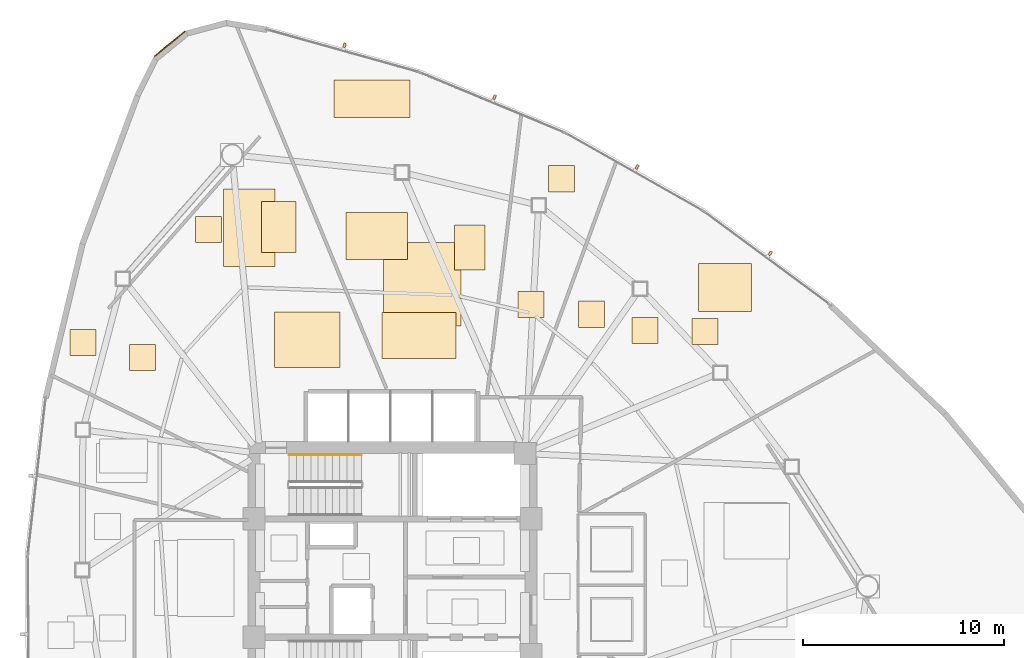
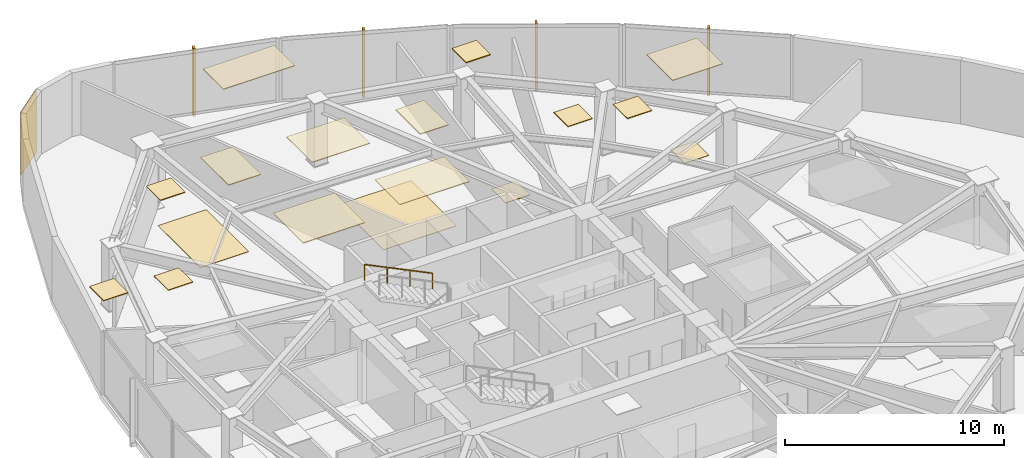
# One storey, part 18 of 18: 18 coverings, 4 shading devices, 1 railing.
"""IFC4 building model written with IfcOpenShell, lengths in metres."""

from ifc_helpers import new_model, si_unit, direction, frame, origin, origin_2d, place, context, subcontext, project, spatial, polyline, rectangle, outline, extrude, source, transform, mapped, material, layer, layer_set, type_object, type_shapes, element, save


model = new_model("IFC4")

# Units and contexts
model_context = context("Model", 3, precision=1e-05, world=origin(), true_north=direction((0.0, 1.0)))
body_context = subcontext(model_context, "Body", "Model", "MODEL_VIEW")
ifc_project = project(units=[si_unit("LENGTHUNIT", "METRE"), si_unit("AREAUNIT", "SQUARE_METRE"), si_unit("VOLUMEUNIT", "CUBIC_METRE"), si_unit("PLANEANGLEUNIT", "RADIAN"), si_unit("MASSUNIT", "GRAM", prefix="KILO")], contexts=[model_context])

# Site, building, storey
site_placement = place(None, origin())
site = spatial("IfcSite", under=ifc_project, at=site_placement, CompositionType="ELEMENT")
building_placement = place(site_placement, origin())
building = spatial("IfcBuilding", under=site, at=building_placement, Name="Tavelor Broadcast Tower", CompositionType="ELEMENT")
storey_placement = place(building_placement, frame((0.0, 0.0, 146.39990234375)))
storey = spatial("IfcBuildingStorey", under=building, at=storey_placement, Name="L34", CompositionType="ELEMENT", Elevation=146.39990234375)

# Covering
ifc_material_1 = material(Name="Copper-Bronze Anodized Aluminium", Category="aluminium")
ifc_layer_1 = layer(ifc_material_1, 0.050048828125)
ifc_layer_set_1 = layer_set([ifc_layer_1], Name="Copper-Bronze Anodized Aluminium")
covering_type_1 = type_object("IfcCoveringType", Name="Champagne-Bronze Corner Pier Metal Cladding 50 mm", PredefinedType="CLADDING", material=ifc_layer_set_1)
covering_1_placement = place(storey_placement, frame((38.904296875, 71.606689453125, 0.02001953125), z_axis=(0.0, 0.0, 1.0), x_axis=(-0.775495743172, -0.631352795449, 0.0)))
element("IfcCovering", 1, at=covering_1_placement, inside=storey, type_object=covering_type_1, Name="L34 Champagne-Bronze Corner Cladding 03", PredefinedType="CLADDING", context=body_context, shape_type="SweptSolid", body=[
    extrude(rectangle(XDim=1.97607421875, YDim=0.050048828125, at=origin_2d()), origin(), (0.0, 0.0, 1.0), 3.510009765625),
])

# Railing
ifc_material_2 = material(Name="Steel S355", Category="steel")
railing_type = type_object("IfcRailingType", Name="Continuous Brushed Stainless Handrail 900 mm", PredefinedType="HANDRAIL", material=ifc_material_2)
railing_placement = place(storey_placement, frame((48.449951171875, 51.14990234375, 2.10009765625)))
element("IfcRailing", 2, at=railing_placement, inside=storey, type_object=railing_type, Name="L34 ST1 stair handrail 2", PredefinedType="HANDRAIL", context=body_context, shape_type="SweptSolid", body=[
    extrude(rectangle(XDim=0.048095703125, YDim=0.048095703125, at=origin_2d()), frame((0.0, 0.0, 0.8759765625), z_axis=(-0.899360859046, 0.0, 0.437207096483), x_axis=(0.0, -1.0, 0.0)), (0.0, 0.0, 1.0), 4.002685546875),
    extrude(rectangle(XDim=0.0419921875, YDim=0.0419921875, at=origin_2d()), origin(), (0.0, 0.0, 1.0), 0.851806640625),
    extrude(rectangle(XDim=0.0419921875, YDim=0.0419921875, at=origin_2d()), frame((-1.199951171875, 0.0, 0.583251953125)), (0.0, 0.0, 1.0), 0.851806640625),
    extrude(rectangle(XDim=0.0419921875, YDim=0.0419921875, at=origin_2d()), frame((-2.39990234375, 0.0, 1.166748046875)), (0.0, 0.0, 1.0), 0.851806640625),
    extrude(rectangle(XDim=0.0419921875, YDim=0.0419921875, at=origin_2d()), frame((-3.599853515625, 0.0, 1.75)), (0.0, 0.0, 1.0), 0.851806640625),
])

# Coverings
ifc_material_3 = material(Name="Acoustic Nylon Carpet Tile")
ifc_layer_2 = layer(ifc_material_3, 0.02001953125)
ifc_layer_set_2 = layer_set([ifc_layer_2], Name="Acoustic Nylon Carpet Tile")
covering_type_2 = type_object("IfcCoveringType", Name="Heavy-Duty Acoustic Broadcast Carpet Tile 20 mm", PredefinedType="FLOORING", material=ifc_layer_set_2)
covering_2_placement = place(storey_placement, origin())
element("IfcCovering", 3, at=covering_2_placement, inside=storey, type_object=covering_type_2, Name="L34 Broadcast Floor Finish 0493", PredefinedType="FLOORING", context=body_context, shape_type="SweptSolid", body=[
    extrude(outline(polyline([(41.58642578125, 60.51171875), (44.143310546875, 60.51171875), (44.143310546875, 64.379150390625), (41.58642578125, 64.379150390625), (41.58642578125, 60.51171875)])), origin(), (0.0, 0.0, 1.0), 0.02001953125),
])
covering_3_placement = place(storey_placement, origin())
element("IfcCovering", 4, at=covering_3_placement, inside=storey, type_object=covering_type_2, Name="L34 Broadcast Floor Finish 0494", PredefinedType="FLOORING", context=body_context, shape_type="SweptSolid", body=[
    extrude(outline(polyline([(49.55029296875, 57.54248046875), (53.4072265625, 57.54248046875), (53.4072265625, 61.69970703125), (49.55029296875, 61.69970703125), (49.55029296875, 57.54248046875)])), origin(), (0.0, 0.0, 1.0), 0.02001953125),
])
covering_4_placement = place(storey_placement, origin())
element("IfcCovering", 5, at=covering_4_placement, inside=storey, type_object=covering_type_2, Name="L34 Broadcast Floor Finish 0496", PredefinedType="FLOORING", context=body_context, shape_type="SweptSolid", body=[
    extrude(outline(polyline([(64.920166015625, 56.6318359375), (66.22021484375, 56.6318359375), (66.22021484375, 57.931884765625), (64.920166015625, 57.931884765625), (64.920166015625, 56.6318359375)])), origin(), (0.0, 0.0, 1.0), 0.02001953125),
])
ifc_material_4 = material(Name="Acoustic Hardwood Studio Flooring", Category="wood")
ifc_layer_3 = layer(ifc_material_4, 0.034912109375)
ifc_layer_set_3 = layer_set([ifc_layer_3], Name="Acoustic Hardwood Studio Flooring")
covering_type_3 = type_object("IfcCoveringType", Name="Isolated Studio Acoustic Elastomeric Floor Finish 35 mm", PredefinedType="FLOORING", material=ifc_layer_set_3)
covering_5_placement = place(storey_placement, origin())
element("IfcCovering", 6, at=covering_5_placement, inside=storey, type_object=covering_type_3, Name="L34 Broadcast Floor Finish 0495", PredefinedType="FLOORING", context=body_context, shape_type="SweptSolid", body=[
    extrude(outline(polyline([(56.250244140625, 57.981689453125), (57.55029296875, 57.981689453125), (57.55029296875, 59.28173828125), (56.250244140625, 59.28173828125), (56.250244140625, 57.981689453125)])), origin(), (0.0, 0.0, 1.0), 0.03515625),
])
ifc_material_5 = material(Name="Acoustic Perforated Timber Baffle", Category="wood")
ifc_layer_4 = layer(ifc_material_5, 0.054931640625)
ifc_layer_set_4 = layer_set([ifc_layer_4], Name="Acoustic Perforated Timber Baffle")
covering_type_4 = type_object("IfcCoveringType", Name="Micro-Perforated Acoustic Baffle Studio Ceiling 55 mm", PredefinedType="CEILING", material=ifc_layer_set_4)
covering_6_placement = place(storey_placement, frame((0.0, 0.0, 3.4951171875)))
element("IfcCovering", 7, at=covering_6_placement, inside=storey, type_object=covering_type_4, Name="L34 Suspended Acoustic Ceiling 1418", PredefinedType="CEILING", context=body_context, shape_type="SweptSolid", body=[
    extrude(outline(polyline([(57.771484375, 64.239013671875), (59.071533203125, 64.239013671875), (59.071533203125, 65.5390625), (57.771484375, 65.5390625), (57.771484375, 64.239013671875)])), origin(), (0.0, 0.0, 1.0), 0.054931640625),
])
ifc_material_6 = material(Name="Acoustic Mineral Fibre Tile")
ifc_layer_5 = layer(ifc_material_6, 0.0400390625)
ifc_layer_set_5 = layer_set([ifc_layer_5], Name="Acoustic Mineral Fibre Tile")
covering_type_5 = type_object("IfcCoveringType", Name="Suspended Acoustic Mineral-Fibre Office Ceiling 40 mm", PredefinedType="CEILING", material=ifc_layer_set_5)
covering_7_placement = place(storey_placement, frame((0.0, 0.0, 3.510009765625)))
element("IfcCovering", 8, at=covering_7_placement, inside=storey, type_object=covering_type_5, Name="L34 Suspended Acoustic Ceiling 1409", PredefinedType="CEILING", context=body_context, shape_type="SweptSolid", body=[
    extrude(outline(polyline([(40.17724609375, 61.71240234375), (41.477294921875, 61.71240234375), (41.477294921875, 63.012451171875), (40.17724609375, 63.012451171875), (40.17724609375, 61.71240234375)])), origin(), (0.0, 0.0, 1.0), 0.0400390625),
])
covering_8_placement = place(storey_placement, frame((0.0, 0.0, 3.510009765625)))
element("IfcCovering", 9, at=covering_8_placement, inside=storey, type_object=covering_type_5, Name="L34 Suspended Acoustic Ceiling 1410", PredefinedType="CEILING", context=body_context, shape_type="SweptSolid", body=[
    extrude(outline(polyline([(43.477294921875, 61.205322265625), (45.19580078125, 61.205322265625), (45.19580078125, 63.75537109375), (43.477294921875, 63.75537109375), (43.477294921875, 61.205322265625)])), origin(), (0.0, 0.0, 1.0), 0.0400390625),
])
covering_9_placement = place(storey_placement, frame((0.0, 0.0, 3.510009765625)))
element("IfcCovering", 10, at=covering_9_placement, inside=storey, type_object=covering_type_5, Name="L34 Suspended Acoustic Ceiling 1411", PredefinedType="CEILING", context=body_context, shape_type="SweptSolid", body=[
    extrude(outline(polyline([(44.131103515625, 55.496826171875), (47.38525390625, 55.496826171875), (47.38525390625, 58.2451171875), (44.131103515625, 58.2451171875), (44.131103515625, 55.496826171875)])), origin(), (0.0, 0.0, 1.0), 0.0400390625),
])
covering_10_placement = place(storey_placement, frame((0.0, 0.0, 3.510009765625)))
element("IfcCovering", 11, at=covering_10_placement, inside=storey, type_object=covering_type_5, Name="L34 Suspended Acoustic Ceiling 1412", PredefinedType="CEILING", context=body_context, shape_type="SweptSolid", body=[
    extrude(outline(polyline([(36.904296875, 55.33349609375), (38.204345703125, 55.33349609375), (38.204345703125, 56.633544921875), (36.904296875, 56.633544921875), (36.904296875, 55.33349609375)])), origin(), (0.0, 0.0, 1.0), 0.0400390625),
])
covering_11_placement = place(storey_placement, frame((0.0, 0.0, 3.510009765625)))
element("IfcCovering", 12, at=covering_11_placement, inside=storey, type_object=covering_type_5, Name="L34 Suspended Acoustic Ceiling 1413", PredefinedType="CEILING", context=body_context, shape_type="SweptSolid", body=[
    extrude(outline(polyline([(33.9267578125, 56.078857421875), (35.226806640625, 56.078857421875), (35.226806640625, 57.37890625), (33.9267578125, 57.37890625), (33.9267578125, 56.078857421875)])), origin(), (0.0, 0.0, 1.0), 0.0400390625),
])
covering_12_placement = place(storey_placement, frame((0.0, 0.0, 3.510009765625)))
element("IfcCovering", 13, at=covering_12_placement, inside=storey, type_object=covering_type_5, Name="L34 Suspended Acoustic Ceiling 1414", PredefinedType="CEILING", context=body_context, shape_type="SweptSolid", body=[
    extrude(outline(polyline([(47.095703125, 67.936767578125), (50.8671875, 67.936767578125), (50.8671875, 69.8076171875), (47.095703125, 69.8076171875), (47.095703125, 67.936767578125)])), origin(), (0.0, 0.0, 1.0), 0.0400390625),
])
covering_13_placement = place(storey_placement, frame((0.0, 0.0, 3.510009765625)))
element("IfcCovering", 14, at=covering_13_placement, inside=storey, type_object=covering_type_5, Name="L34 Suspended Acoustic Ceiling 1415", PredefinedType="CEILING", context=body_context, shape_type="SweptSolid", body=[
    extrude(outline(polyline([(53.09912109375, 60.337158203125), (54.60400390625, 60.337158203125), (54.60400390625, 62.590087890625), (53.09912109375, 62.590087890625), (53.09912109375, 60.337158203125)])), origin(), (0.0, 0.0, 1.0), 0.0400390625),
])
covering_14_placement = place(storey_placement, frame((0.0, 0.0, 3.510009765625)))
element("IfcCovering", 15, at=covering_14_placement, inside=storey, type_object=covering_type_5, Name="L34 Suspended Acoustic Ceiling 1416", PredefinedType="CEILING", context=body_context, shape_type="SweptSolid", body=[
    extrude(outline(polyline([(49.489013671875, 55.943359375), (53.163330078125, 55.943359375), (53.163330078125, 58.2314453125), (49.489013671875, 58.2314453125), (49.489013671875, 55.943359375)])), origin(), (0.0, 0.0, 1.0), 0.0400390625),
])
covering_15_placement = place(storey_placement, frame((0.0, 0.0, 3.510009765625)))
element("IfcCovering", 16, at=covering_15_placement, inside=storey, type_object=covering_type_5, Name="L34 Suspended Acoustic Ceiling 1417", PredefinedType="CEILING", context=body_context, shape_type="SweptSolid", body=[
    extrude(outline(polyline([(47.693115234375, 60.862060546875), (50.74560546875, 60.862060546875), (50.74560546875, 63.2138671875), (47.693115234375, 63.2138671875), (47.693115234375, 60.862060546875)])), origin(), (0.0, 0.0, 1.0), 0.0400390625),
])
covering_16_placement = place(storey_placement, frame((0.0, 0.0, 3.510009765625)))
element("IfcCovering", 17, at=covering_16_placement, inside=storey, type_object=covering_type_5, Name="L34 Suspended Acoustic Ceiling 1419", PredefinedType="CEILING", context=body_context, shape_type="SweptSolid", body=[
    extrude(outline(polyline([(59.25732421875, 57.488037109375), (60.557373046875, 57.488037109375), (60.557373046875, 58.7880859375), (59.25732421875, 58.7880859375), (59.25732421875, 57.488037109375)])), origin(), (0.0, 0.0, 1.0), 0.0400390625),
])
covering_17_placement = place(storey_placement, frame((0.0, 0.0, 3.510009765625)))
element("IfcCovering", 18, at=covering_17_placement, inside=storey, type_object=covering_type_5, Name="L34 Suspended Acoustic Ceiling 1420", PredefinedType="CEILING", context=body_context, shape_type="SweptSolid", body=[
    extrude(outline(polyline([(65.234130859375, 58.277099609375), (67.89306640625, 58.277099609375), (67.89306640625, 60.658447265625), (65.234130859375, 60.658447265625), (65.234130859375, 58.277099609375)])), origin(), (0.0, 0.0, 1.0), 0.0400390625),
])
covering_18_placement = place(storey_placement, frame((0.0, 0.0, 3.510009765625)))
element("IfcCovering", 19, at=covering_18_placement, inside=storey, type_object=covering_type_5, Name="L34 Suspended Acoustic Ceiling 1421", PredefinedType="CEILING", context=body_context, shape_type="SweptSolid", body=[
    extrude(outline(polyline([(61.929931640625, 56.683837890625), (63.22998046875, 56.683837890625), (63.22998046875, 57.98388671875), (61.929931640625, 57.98388671875), (61.929931640625, 56.683837890625)])), origin(), (0.0, 0.0, 1.0), 0.0400390625),
])

# Shading devices
ifc_material_7 = material(Name="Kiln-Fired Glazed Terracotta", Category="masonry")
shading_device_type = type_object("IfcShadingDeviceType", Name="Extruded Terracotta Baguette Sun-Screen 110x240", PredefinedType="JALOUSIE", material=ifc_material_7)
shared_shape = source(origin(), body_context, "Body", "SweptSolid", [
    extrude(rectangle(XDim=0.110107421875, YDim=0.239990234375, at=origin_2d()), origin(), (0.0, 0.0, 1.0), 3.7900390625),
])
type_shapes(shading_device_type, [shared_shape])
for number, where, z_axis, x_axis, name in (
    (20, (68.819580078125, 61.17724609375, -0.260009765625), (0.0, 0.0, 1.0), (-0.804064443961, 0.59454215154, 0.0), "L34 Terracotta Baguette Fin 345"),
    (21, (62.18798828125, 65.483642578125, -0.260009765625), (0.0, 0.0, 1.0), (-0.87018375467, 0.492727341548, 0.0), "L34 Terracotta Baguette Fin 346"),
    (22, (55.084228515625, 68.9560546875, -0.260009765625), (0.0, 0.0, 1.0), (-0.923411307113, 0.383811878264, 0.0), "L34 Terracotta Baguette Fin 347"),
    (23, (47.6123046875, 71.54345703125, -0.260009765625), (0.0, 0.0, 1.0), (-0.963068637394, 0.269256011385, 0.0), "L34 Terracotta Baguette Fin 348"),
):
    element("IfcShadingDevice", number, at=place(storey_placement, frame(where, z_axis=z_axis, x_axis=x_axis)), inside=storey, type_object=shading_device_type, Name=name, PredefinedType="JALOUSIE", context=body_context, shape_type="MappedRepresentation", body=[
        mapped(shared_shape, transform((0.0, 0.0, 0.0), scale=1.0)),
    ])

save(model, "model.ifc")
